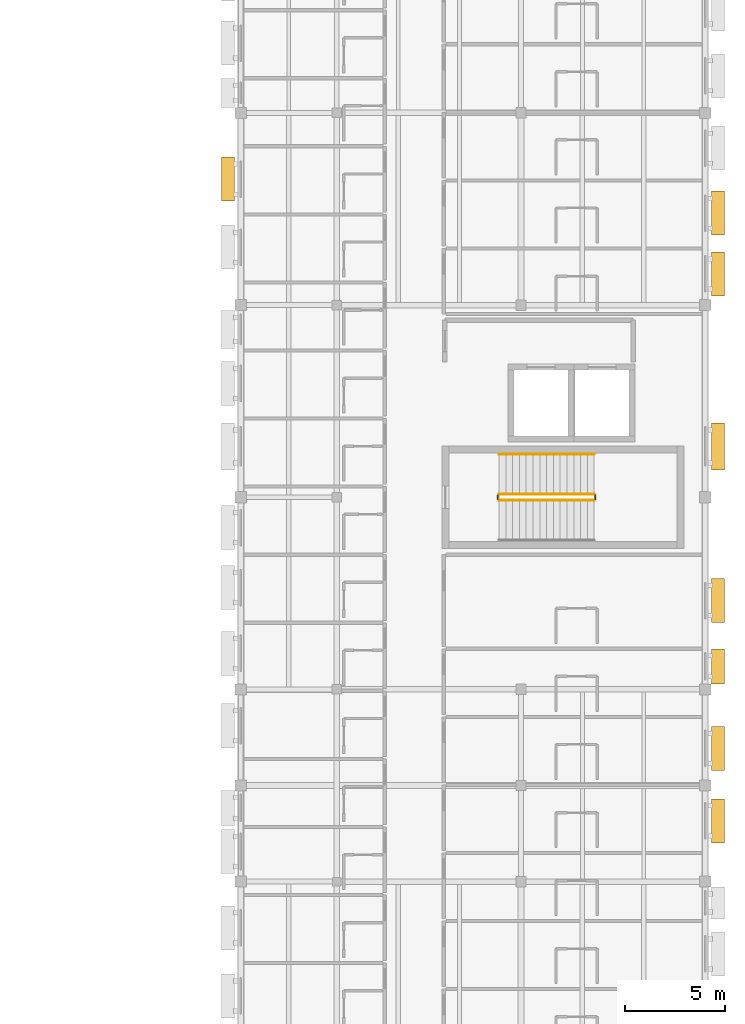
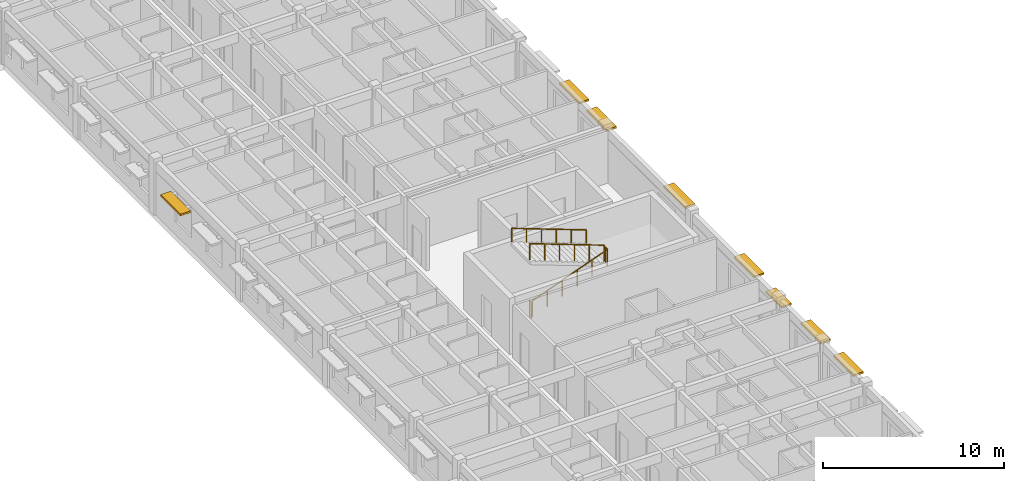
# One storey, part 38 of 40: 8 shading devices, 5 railings.
"""IFC4 building model written with IfcOpenShell, lengths in metres."""

from ifc_helpers import new_model, si_unit, direction, frame, origin, origin_2d, place, context, subcontext, project, spatial, rectangle, circle, extrude, material, type_object, element, save


model = new_model("IFC4")

# Units and contexts
model_context = context("Model", 3, precision=1e-05, world=origin(), true_north=direction((0.0, 1.0)))
body_context = subcontext(model_context, "Body", "Model", "MODEL_VIEW")
ifc_project = project(units=[si_unit("LENGTHUNIT", "METRE"), si_unit("AREAUNIT", "SQUARE_METRE"), si_unit("VOLUMEUNIT", "CUBIC_METRE"), si_unit("PLANEANGLEUNIT", "RADIAN"), si_unit("MASSUNIT", "GRAM", prefix="KILO")], contexts=[model_context])

# Site, building, storey
site_placement = place(None, origin())
site = spatial("IfcSite", under=ifc_project, at=site_placement, CompositionType="ELEMENT")
building_placement = place(site_placement, origin())
building = spatial("IfcBuilding", under=site, at=building_placement, Name="Veldera Park Congress Hotel", CompositionType="ELEMENT")
storey_placement = place(building_placement, frame((0.0, 0.0, 16.199951171875)))
storey = spatial("IfcBuildingStorey", under=building, at=storey_placement, Name="L03", CompositionType="ELEMENT", Elevation=16.199951171875)

# Railings
ifc_material_1 = material(Name="Steel ASTM A992 Gr.50", Category="steel")
railing_type_1 = type_object("IfcRailingType", Name="GRD-ST110", PredefinedType="GUARDRAIL", material=ifc_material_1)
railing_1_placement = place(storey_placement, frame((73.699951171875, -9.14990234375, 0.126708984375)))
element("IfcRailing", 1, at=railing_1_placement, inside=storey, type_object=railing_type_1, Name="L03 ST2 stair guard 1", PredefinedType="GUARDRAIL", context=body_context, shape_type="SweptSolid", body=[
    extrude(circle(Radius=0.02392578125, at=origin_2d()), frame((0.0, 0.0, 1.076171875), z_axis=(0.937075640343, 0.0, 0.349126401572), x_axis=(0.0, 1.0, 0.0)), (0.0, 0.0, 1.0), 5.07958984375),
    extrude(circle(Radius=0.02099609375, at=origin_2d()), origin(), (0.0, 0.0, 1.0), 1.052001953125),
    extrude(circle(Radius=0.02099609375, at=origin_2d()), frame((0.951904296875, 0.0, 0.354736328125)), (0.0, 0.0, 1.0), 1.052001953125),
    extrude(circle(Radius=0.02099609375, at=origin_2d()), frame((1.904052734375, 0.0, 0.70947265625)), (0.0, 0.0, 1.0), 1.052001953125),
    extrude(circle(Radius=0.02099609375, at=origin_2d()), frame((2.85595703125, 0.0, 1.06396484375)), (0.0, 0.0, 1.0), 1.052001953125),
    extrude(circle(Radius=0.02099609375, at=origin_2d()), frame((3.80810546875, 0.0, 1.418701171875)), (0.0, 0.0, 1.0), 1.052001953125),
    extrude(circle(Radius=0.02099609375, at=origin_2d()), frame((4.760009765625, 0.0, 1.7734375)), (0.0, 0.0, 1.0), 1.052001953125),
])
railing_2_placement = place(storey_placement, frame((78.510009765625, -9.10009765625, 1.900146484375)))
element("IfcRailing", 2, at=railing_2_placement, inside=storey, type_object=railing_type_1, Name="L03 ST2 stair guard 2", PredefinedType="GUARDRAIL", context=body_context, shape_type="SweptSolid", body=[
    extrude(circle(Radius=0.02392578125, at=origin_2d()), frame((0.0, 0.0, 1.076171875), z_axis=(0.0, 1.0, 0.0), x_axis=(-1.0, 0.0, 0.0)), (0.0, 0.0, 1.0), 0.2001953125),
    extrude(circle(Radius=0.02099609375, at=origin_2d()), origin(), (0.0, 0.0, 1.0), 1.052001953125),
    extrude(circle(Radius=0.02099609375, at=origin_2d()), frame((0.0, 0.2001953125, 0.0)), (0.0, 0.0, 1.0), 1.052001953125),
])
railing_3_placement = place(storey_placement, frame((78.4599609375, -8.85009765625, 2.026611328125)))
element("IfcRailing", 3, at=railing_3_placement, inside=storey, type_object=railing_type_1, Name="L03 ST2 stair guard 3", PredefinedType="GUARDRAIL", context=body_context, shape_type="SweptSolid", body=[
    extrude(circle(Radius=0.02392578125, at=origin_2d()), frame((0.0, 0.0, 1.076171875), z_axis=(-0.937075640343, 0.0, 0.349126401572), x_axis=(0.0, -1.0, 0.0)), (0.0, 0.0, 1.0), 5.07958984375),
    extrude(circle(Radius=0.02099609375, at=origin_2d()), origin(), (0.0, 0.0, 1.0), 1.052001953125),
    extrude(circle(Radius=0.02099609375, at=origin_2d()), frame((-0.951904296875, 0.0, 0.354736328125)), (0.0, 0.0, 1.0), 1.052001953125),
    extrude(circle(Radius=0.02099609375, at=origin_2d()), frame((-1.904052734375, 0.0, 0.70947265625)), (0.0, 0.0, 1.0), 1.052001953125),
    extrude(circle(Radius=0.02099609375, at=origin_2d()), frame((-2.85595703125, 0.0, 1.06396484375)), (0.0, 0.0, 1.0), 1.052001953125),
    extrude(circle(Radius=0.02099609375, at=origin_2d()), frame((-3.80810546875, 0.0, 1.418701171875)), (0.0, 0.0, 1.0), 1.052001953125),
    extrude(circle(Radius=0.02099609375, at=origin_2d()), frame((-4.760009765625, 0.0, 1.7734375)), (0.0, 0.0, 1.0), 1.052001953125),
])
railing_4_placement = place(storey_placement, frame((73.64990234375, -9.10009765625, 0.0)))
element("IfcRailing", 4, at=railing_4_placement, inside=storey, type_object=railing_type_1, Name="L03 ST2 stair guard 4", PredefinedType="GUARDRAIL", context=body_context, shape_type="SweptSolid", body=[
    extrude(circle(Radius=0.02392578125, at=origin_2d()), frame((0.0, 0.0, 1.076171875), z_axis=(0.0, 1.0, 0.0), x_axis=(-1.0, 0.0, 0.0)), (0.0, 0.0, 1.0), 0.2001953125),
    extrude(circle(Radius=0.02099609375, at=origin_2d()), origin(), (0.0, 0.0, 1.0), 1.052001953125),
    extrude(circle(Radius=0.02099609375, at=origin_2d()), frame((0.0, 0.2001953125, 0.0)), (0.0, 0.0, 1.0), 1.052001953125),
])
railing_type_2 = type_object("IfcRailingType", Name="HRL-920", PredefinedType="HANDRAIL", material=ifc_material_1)
railing_5_placement = place(storey_placement, frame((78.4599609375, -6.85009765625, 2.026611328125)))
element("IfcRailing", 5, at=railing_5_placement, inside=storey, type_object=railing_type_2, Name="L03 ST2 stair handrail 2", PredefinedType="HANDRAIL", context=body_context, shape_type="SweptSolid", body=[
    extrude(circle(Radius=0.02392578125, at=origin_2d()), frame((0.0, 0.0, 0.89599609375), z_axis=(-0.937075640343, 0.0, 0.349126401572), x_axis=(0.0, -1.0, 0.0)), (0.0, 0.0, 1.0), 5.07958984375),
    extrude(circle(Radius=0.02099609375, at=origin_2d()), origin(), (0.0, 0.0, 1.0), 0.871826171875),
    extrude(circle(Radius=0.02099609375, at=origin_2d()), frame((-0.951904296875, 0.0, 0.354736328125)), (0.0, 0.0, 1.0), 0.871826171875),
    extrude(circle(Radius=0.02099609375, at=origin_2d()), frame((-1.904052734375, 0.0, 0.70947265625)), (0.0, 0.0, 1.0), 0.871826171875),
    extrude(circle(Radius=0.02099609375, at=origin_2d()), frame((-2.85595703125, 0.0, 1.06396484375)), (0.0, 0.0, 1.0), 0.871826171875),
    extrude(circle(Radius=0.02099609375, at=origin_2d()), frame((-3.80810546875, 0.0, 1.418701171875)), (0.0, 0.0, 1.0), 0.871826171875),
    extrude(circle(Radius=0.02099609375, at=origin_2d()), frame((-4.760009765625, 0.0, 1.7734375)), (0.0, 0.0, 1.0), 0.871826171875),
])

# Shading devices
ifc_material_2 = material(Name="Glulam GL28h (NDS 24F-V4)", Category="wood")
shading_device_type = type_object("IfcShadingDeviceType", Name="SHD-LVR300", PredefinedType="JALOUSIE", material=ifc_material_2)
shading_device_1_placement = place(storey_placement, frame((84.64501953125, -6.4609375, 2.77001953125), z_axis=(0.0, 0.0, 1.0), x_axis=(0.0, 1.0, 0.0)))
element("IfcShadingDevice", 6, at=shading_device_1_placement, inside=storey, type_object=shading_device_type, Name="Glulam Solar Shade 135", PredefinedType="JALOUSIE", context=body_context, shape_type="SweptSolid", body=[
    extrude(rectangle(XDim=2.35009765625, YDim=0.64990234375, at=origin_2d()), origin(), (0.0, 0.0, 1.0), 0.1201171875),
])
for number, where, z_axis, x_axis, name in (
    (7, (60.155029296875, 6.889892578125, 2.719970703125), (0.0, 0.0, 1.0), (0.0, -1.0, 0.0), "Glulam Solar Shade 332"),
    (8, (84.64501953125, -25.1640625, 2.719970703125), (0.0, 0.0, 1.0), (0.0, 1.0, 0.0), "Glulam Solar Shade 344"),
    (9, (84.64501953125, -21.5458984375, 2.719970703125), (0.0, 0.0, 1.0), (0.0, 1.0, 0.0), "Glulam Solar Shade 345"),
):
    element("IfcShadingDevice", number, at=place(storey_placement, frame(where, z_axis=z_axis, x_axis=x_axis)), inside=storey, type_object=shading_device_type, Name=name, PredefinedType="JALOUSIE", context=body_context, shape_type="SweptSolid", body=[
        extrude(rectangle(XDim=2.199951171875, YDim=0.64990234375, at=origin_2d()), origin(), (0.0, 0.0, 1.0), 0.1201171875),
    ])
shading_device_2_placement = place(storey_placement, frame((84.64501953125, -17.446044921875, 2.52001953125), z_axis=(0.0, 0.0, 1.0), x_axis=(0.0, 1.0, 0.0)))
element("IfcShadingDevice", 10, at=shading_device_2_placement, inside=storey, type_object=shading_device_type, Name="Glulam Solar Shade 346", PredefinedType="JALOUSIE", context=body_context, shape_type="SweptSolid", body=[
    extrude(rectangle(XDim=1.75, YDim=0.64990234375, at=origin_2d()), origin(), (0.0, 0.0, 1.0), 0.1201171875),
])
for number, where, z_axis, x_axis, name in (
    (11, (84.64501953125, -14.159912109375, 2.719970703125), (0.0, 0.0, 1.0), (0.0, 1.0, 0.0), "Glulam Solar Shade 347"),
    (12, (84.64501953125, 2.154052734375, 2.719970703125), (0.0, 0.0, 1.0), (0.0, 1.0, 0.0), "Glulam Solar Shade 348"),
    (13, (84.64501953125, 5.18994140625, 2.719970703125), (0.0, 0.0, 1.0), (0.0, 1.0, 0.0), "Glulam Solar Shade 349"),
):
    element("IfcShadingDevice", number, at=place(storey_placement, frame(where, z_axis=z_axis, x_axis=x_axis)), inside=storey, type_object=shading_device_type, Name=name, PredefinedType="JALOUSIE", context=body_context, shape_type="SweptSolid", body=[
        extrude(rectangle(XDim=2.199951171875, YDim=0.64990234375, at=origin_2d()), origin(), (0.0, 0.0, 1.0), 0.1201171875),
    ])

save(model, "model.ifc")
